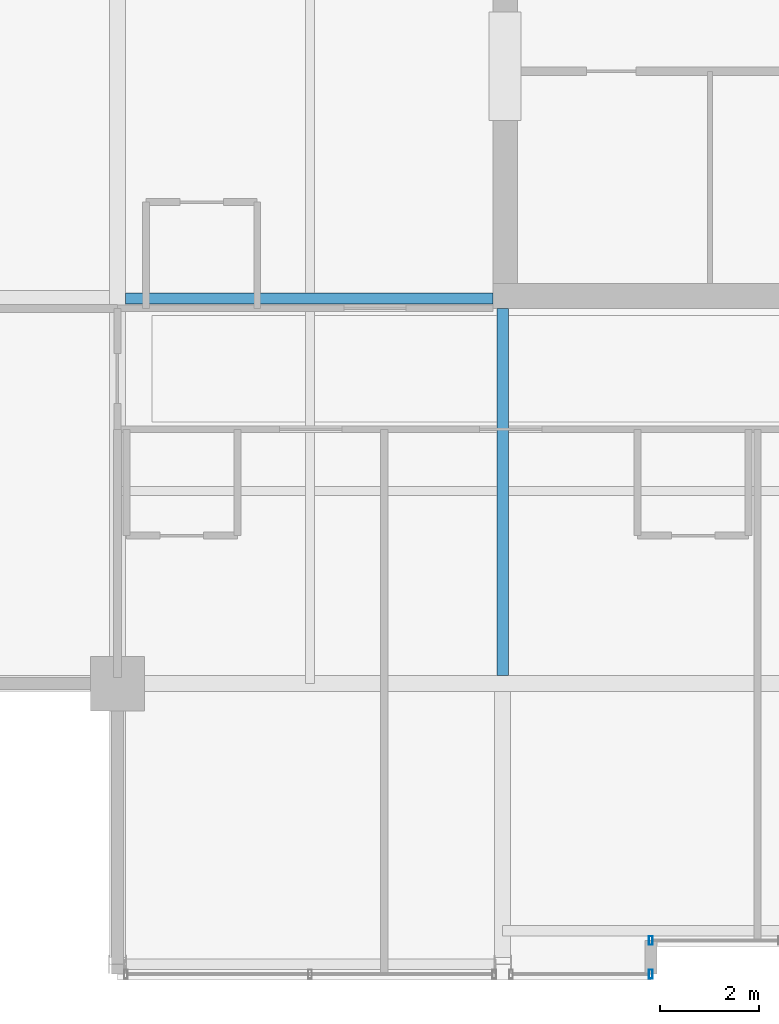
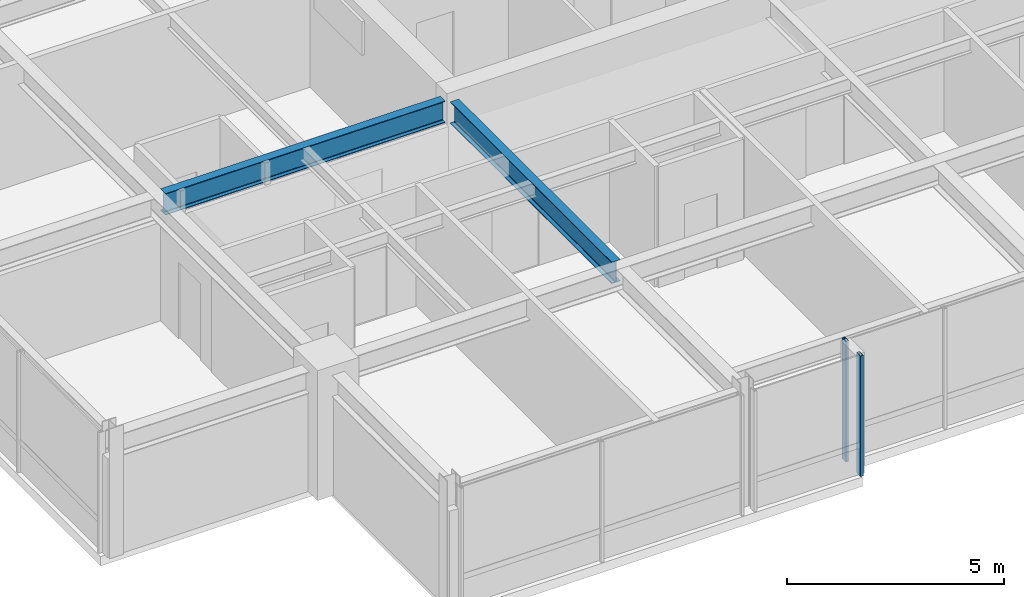
# One storey, part 7 of 34: 2 beams, 2 members, 2 elements without a shape of their own.
"""IFC4 building model written with IfcOpenShell, lengths in metres."""

from ifc_helpers import new_model, si_unit, direction, frame, origin, origin_2d, place, context, subcontext, project, spatial, hollow_rectangle, i_section, extrude, material, layer, layer_set, material_profile, profile_set, type_object, element, aggregate, save


model = new_model("IFC4")

# Units and contexts
model_context = context("Model", 3, precision=1e-05, world=origin(), true_north=direction((0.0, 1.0)))
body_context = subcontext(model_context, "Body", "Model", "MODEL_VIEW")
ifc_project = project(units=[si_unit("LENGTHUNIT", "METRE"), si_unit("AREAUNIT", "SQUARE_METRE"), si_unit("VOLUMEUNIT", "CUBIC_METRE"), si_unit("PLANEANGLEUNIT", "RADIAN"), si_unit("MASSUNIT", "GRAM", prefix="KILO")], contexts=[model_context])

# Site, building, storey
site_placement = place(None, origin())
site = spatial("IfcSite", under=ifc_project, at=site_placement, CompositionType="ELEMENT")
building_placement = place(site_placement, origin())
building = spatial("IfcBuilding", under=site, at=building_placement, Name="Drelvath Grand Hotel", CompositionType="ELEMENT")
storey_placement = place(building_placement, frame((0.0, 0.0, 272.300048828125)))
storey = spatial("IfcBuildingStorey", under=building, at=storey_placement, Name="L71", CompositionType="ELEMENT", Elevation=272.300048828125)

# Curtain wall, member
ifc_material_1 = material(Name="Platinum-Mist Anodised Aluminium Frame", Category="aluminium")
ifc_layer = layer(ifc_material_1, 0.199951171875)
ifc_layer_set = layer_set([ifc_layer], Name="Platinum-Mist Anodised Aluminium Frame")
curtain_wall_type = type_object("IfcCurtainWallType", Name="Stick Curtain Wall CW-05 Platinum Mist High-Rise", PredefinedType="NOTDEFINED", material=ifc_layer_set)
curtain_wall_1_placement = place(storey_placement, origin())
curtain_wall_1 = element("IfcCurtainWall", 1, at=curtain_wall_1_placement, inside=storey, type_object=curtain_wall_type, Name="L71 CW-05 Curtain Wall CW05-L71-SM1", PredefinedType="NOTDEFINED")
ifc_material_profile_1 = material_profile(ifc_material_1, hollow_rectangle(XDim=0.074951171875, YDim=0.179931640625, WallThickness=0.0048828125, at=origin_2d()), Name="HSS180X75X5")
ifc_profile_set_1 = profile_set([ifc_material_profile_1], Name="Platinum-Mist Anodised Aluminium Frame")
member_type = type_object("IfcMemberType", Name="Curtain Wall Vertical Mullion CW-05 HSS180X75X5", PredefinedType="MULLION", material=ifc_profile_set_1)
member_1_placement = place(storey_placement, frame((-5.39990234375, 5.60009765625, 0.0), z_axis=(0.0, 0.0, 1.0), x_axis=(1.0, 0.0, 0.0)))
member_1 = element("IfcMember", 2, at=member_1_placement, type_object=member_type, Name="CW05-L71-SM1 Mullion 3", PredefinedType="MULLION", context=body_context, shape_type="SweptSolid", body=[
    extrude(hollow_rectangle(XDim=0.074951171875, YDim=0.179931640625, WallThickness=0.0048828125, at=origin_2d()), origin(), (0.0, 0.0, 1.0), 3.389892578125),
])
aggregate(curtain_wall_1, [member_1])

curtain_wall_2_placement = place(storey_placement, origin())
curtain_wall_2 = element("IfcCurtainWall", 3, at=curtain_wall_2_placement, inside=storey, type_object=curtain_wall_type, Name="L71 CW-05 Curtain Wall CW05-L71-SW2", PredefinedType="NOTDEFINED")
member_2_placement = place(storey_placement, frame((-5.39990234375, 4.919921875, 0.0), z_axis=(0.0, 0.0, 1.0), x_axis=(1.0, 0.0, 0.0)))
member_2 = element("IfcMember", 4, at=member_2_placement, type_object=member_type, Name="CW05-L71-SW2 Mullion 1", PredefinedType="MULLION", context=body_context, shape_type="SweptSolid", body=[
    extrude(hollow_rectangle(XDim=0.074951171875, YDim=0.179931640625, WallThickness=0.0048828125, at=origin_2d()), origin(), (0.0, 0.0, 1.0), 3.389892578125),
])
aggregate(curtain_wall_2, [member_2])

# Beams
ifc_material_2 = material(Name="Steel ASTM A992 Gr 50", Category="steel")
ifc_material_profile_2 = material_profile(ifc_material_2, i_section(OverallWidth=0.228271484375, OverallDepth=0.607666015625, WebThickness=0.01123046875, FlangeThickness=0.017333984375, FilletRadius=0.02001953125, at=origin_2d()), Name="W24X76")
ifc_profile_set_2 = profile_set([ifc_material_profile_2], Name="Steel ASTM A992 Gr 50")
beam_type = type_object("IfcBeamType", Name="Primary Floor Girder W24X76", PredefinedType="BEAM", material=ifc_profile_set_2)
for number, where, z_axis, x_axis, name in (
    (5, (-16.0380859375, 18.60009765625, 3.086181640625), (1.0, 0.0, 0.0), (0.0, 1.0, 0.0), "L71 West Core Tie D"),
    (6, (-8.39990234375, 10.9619140625, 3.086181640625), (0.0, 1.0, 0.0), (-1.0, 0.0, 0.0), "L71 South Core Tie 4"),
):
    element("IfcBeam", number, at=place(storey_placement, frame(where, z_axis=z_axis, x_axis=x_axis)), inside=storey, type_object=beam_type, Name=name, PredefinedType="BEAM", context=body_context, shape_type="SweptSolid", body=[
        extrude(i_section(OverallWidth=0.228271484375, OverallDepth=0.607666015625, WebThickness=0.01123046875, FlangeThickness=0.017333984375, FilletRadius=0.02001953125, at=origin_2d()), origin(), (0.0, 0.0, 1.0), 7.43798828125),
    ])

save(model, "model.ifc")
